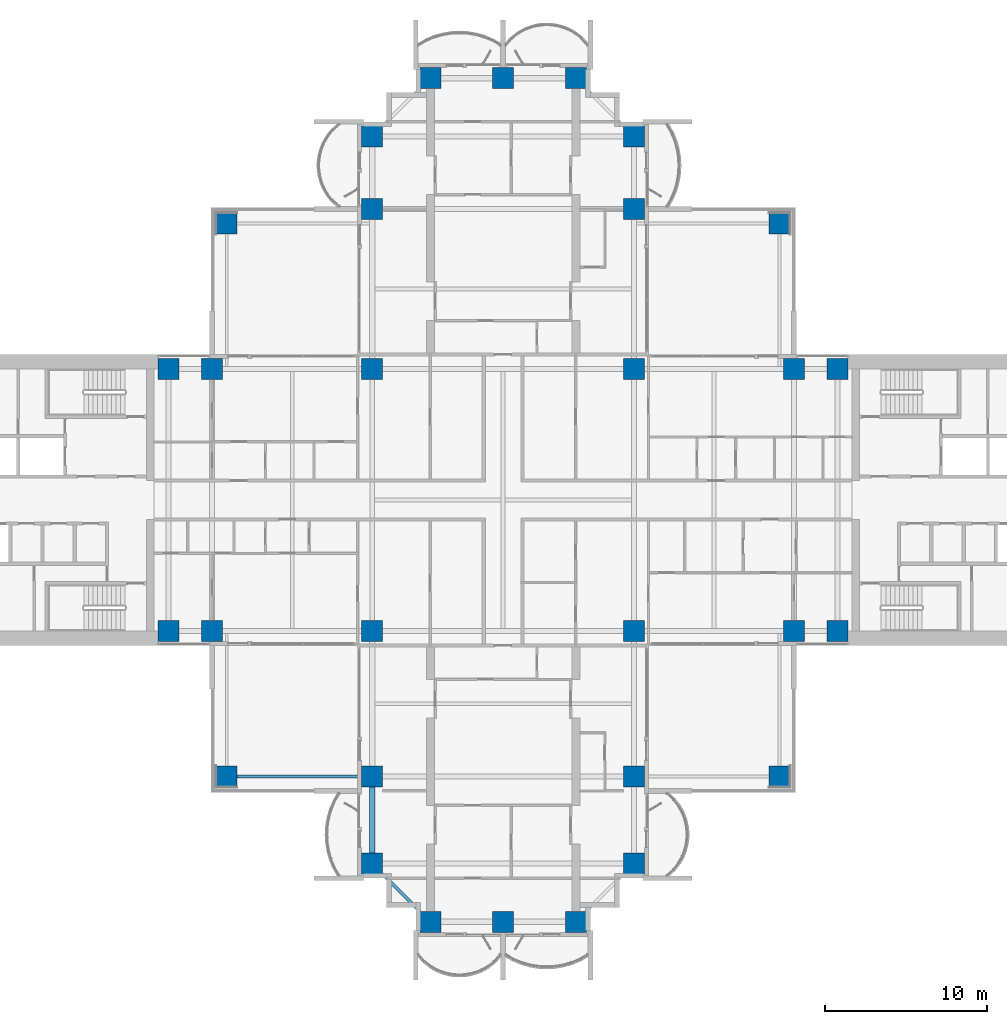
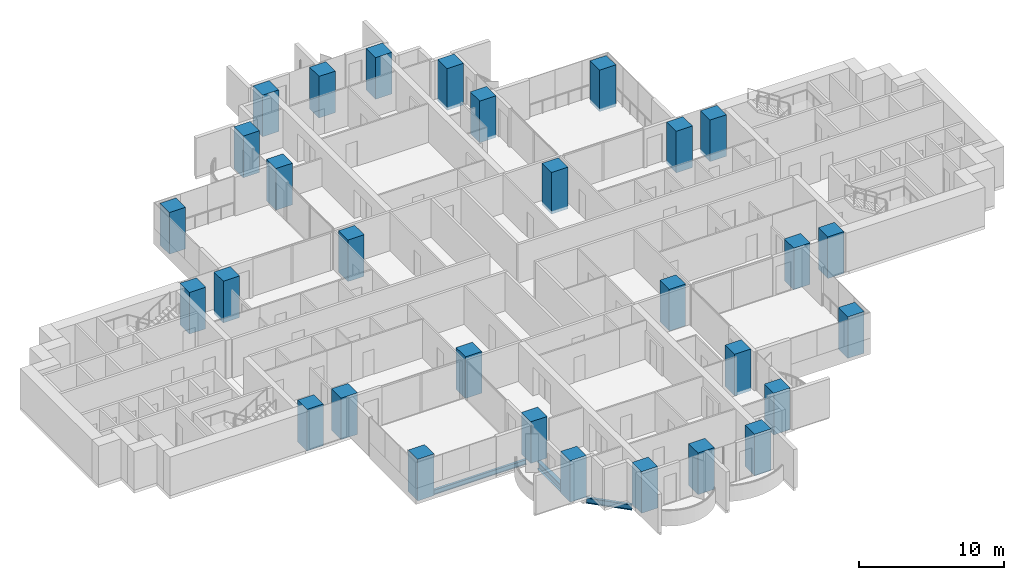
# One storey, part 1 of 20: 30 columns, 3 beams.
"""IFC4 building model written with IfcOpenShell, lengths in metres."""

from ifc_helpers import new_model, si_unit, direction, frame, origin, origin_2d, place, context, subcontext, project, spatial, rectangle, i_section, extrude, material, material_profile, profile_set, type_object, element, save


model = new_model("IFC4")

# Units and contexts
model_context = context("Model", 3, precision=1e-05, world=origin(), true_north=direction((0.0, 1.0)))
body_context = subcontext(model_context, "Body", "Model", "MODEL_VIEW")
ifc_project = project(units=[si_unit("LENGTHUNIT", "METRE"), si_unit("AREAUNIT", "SQUARE_METRE"), si_unit("VOLUMEUNIT", "CUBIC_METRE"), si_unit("PLANEANGLEUNIT", "RADIAN"), si_unit("MASSUNIT", "GRAM", prefix="KILO")], contexts=[model_context])

# Site, building, storey
site_placement = place(None, origin())
site = spatial("IfcSite", under=ifc_project, at=site_placement, CompositionType="ELEMENT")
building_placement = place(site_placement, origin())
building = spatial("IfcBuilding", under=site, at=building_placement, Name="Perihelion Cross Residences", CompositionType="ELEMENT")
storey_placement = place(building_placement, frame((0.0, 0.0, 82.0)))
storey = spatial("IfcBuildingStorey", under=building, at=storey_placement, Name="L18", CompositionType="ELEMENT", Elevation=82.0)

# Columns
ifc_material_1 = material(Name="Concrete C70/85", Category="concrete")
ifc_material_profile_1 = material_profile(ifc_material_1, rectangle(XDim=1.300048828125, YDim=1.300048828125, at=origin_2d()), Name="RC 1300x1300")
ifc_profile_set_1 = profile_set([ifc_material_profile_1], Name="Concrete C70/85")
column_type = type_object("IfcColumnType", Name="Reinforced concrete column 1300x1300 C70/85", PredefinedType="COLUMN", material=ifc_profile_set_1)
for number, where, z_axis, x_axis, name in (
    (1, (-20.699951171875, -8.10009765625, -0.25), (0.0, 0.0, 1.0), (1.0, 0.0, 0.0), "Column C017 L18 no. 1"),
    (2, (-20.699951171875, 8.10009765625, -0.25), (0.0, 0.0, 1.0), (1.0, 0.0, 0.0), "Column C010 L18 no. 1"),
    (3, (-18.0, -8.10009765625, -0.25), (0.0, 0.0, 1.0), (1.0, 0.0, 0.0), "Column C018 L18 no. 1"),
    (4, (-18.0, 8.10009765625, -0.25), (0.0, 0.0, 1.0), (1.0, 0.0, 0.0), "Column C011 L18 no. 1"),
    (5, (-8.10009765625, -22.5, -0.25), (0.0, 0.0, 1.0), (1.0, 0.0, 0.0), "Column C040 L18 no. 1"),
    (6, (-8.10009765625, -17.10009765625, -0.25), (0.0, 0.0, 1.0), (1.0, 0.0, 0.0), "Column C031 L18 no. 1"),
    (7, (-8.10009765625, -8.10009765625, -0.25), (0.0, 0.0, 1.0), (1.0, 0.0, 0.0), "Column C019 L18 no. 1"),
    (8, (-8.10009765625, 8.10009765625, -0.25), (0.0, 0.0, 1.0), (1.0, 0.0, 0.0), "Column C012 L18 no. 1"),
    (9, (-8.10009765625, 18.0, -0.25), (0.0, 0.0, 1.0), (1.0, 0.0, 0.0), "Column C006 L18 no. 1"),
    (10, (-8.10009765625, 22.5, -0.25), (0.0, 0.0, 1.0), (1.0, 0.0, 0.0), "Column C004 L18 no. 1"),
    (11, (-4.5, -26.10009765625, -0.25), (0.0, 0.0, 1.0), (1.0, 0.0, 0.0), "Column C042 L18 no. 1"),
    (12, (-4.5, 26.10009765625, -0.25), (0.0, 0.0, 1.0), (1.0, 0.0, 0.0), "Column C001 L18 no. 1"),
    (13, (0.0, -26.10009765625, -0.25), (0.0, 0.0, 1.0), (1.0, 0.0, 0.0), "Column C043 L18 no. 1"),
    (14, (0.0, 26.10009765625, -0.25), (0.0, 0.0, 1.0), (1.0, 0.0, 0.0), "Column C002 L18 no. 1"),
    (15, (4.5, -26.10009765625, -0.25), (0.0, 0.0, 1.0), (1.0, 0.0, 0.0), "Column C044 L18 no. 1"),
    (16, (4.5, 26.10009765625, -0.25), (0.0, 0.0, 1.0), (1.0, 0.0, 0.0), "Column C003 L18 no. 1"),
    (17, (8.10009765625, -22.5, -0.25), (0.0, 0.0, 1.0), (1.0, 0.0, 0.0), "Column C041 L18 no. 1"),
    (18, (8.10009765625, -17.10009765625, -0.25), (0.0, 0.0, 1.0), (1.0, 0.0, 0.0), "Column C035 L18 no. 1"),
    (19, (8.10009765625, -8.10009765625, -0.25), (0.0, 0.0, 1.0), (1.0, 0.0, 0.0), "Column C020 L18 no. 1"),
    (20, (8.10009765625, 8.10009765625, -0.25), (0.0, 0.0, 1.0), (1.0, 0.0, 0.0), "Column C014 L18 no. 1"),
    (21, (8.10009765625, 18.0, -0.25), (0.0, 0.0, 1.0), (1.0, 0.0, 0.0), "Column C007 L18 no. 1"),
    (22, (8.10009765625, 22.5, -0.25), (0.0, 0.0, 1.0), (1.0, 0.0, 0.0), "Column C005 L18 no. 1"),
    (23, (18.0, -8.10009765625, -0.25), (0.0, 0.0, 1.0), (1.0, 0.0, 0.0), "Column C021 L18 no. 1"),
    (24, (18.0, 8.10009765625, -0.25), (0.0, 0.0, 1.0), (1.0, 0.0, 0.0), "Column C015 L18 no. 1"),
    (25, (20.699951171875, -8.10009765625, -0.25), (0.0, 0.0, 1.0), (1.0, 0.0, 0.0), "Column C022 L18 no. 1"),
    (26, (20.699951171875, 8.10009765625, -0.25), (0.0, 0.0, 1.0), (1.0, 0.0, 0.0), "Column C016 L18 no. 1"),
    (27, (17.10009765625, 17.10009765625, -0.25), (0.0, 0.0, 1.0), (1.0, 0.0, 0.0), "Column C009 L18 no. 1"),
    (28, (-17.10009765625, 17.10009765625, -0.25), (0.0, 0.0, 1.0), (1.0, 0.0, 0.0), "Column C008 L18 no. 1"),
    (29, (-17.10009765625, -17.10009765625, -0.25), (0.0, 0.0, 1.0), (1.0, 0.0, 0.0), "Column C030 L18 no. 1"),
    (30, (17.10009765625, -17.10009765625, -0.25), (0.0, 0.0, 1.0), (1.0, 0.0, 0.0), "Column C036 L18 no. 1"),
):
    element("IfcColumn", number, at=place(storey_placement, frame(where, z_axis=z_axis, x_axis=x_axis)), inside=storey, type_object=column_type, Name=name, PredefinedType="COLUMN", context=body_context, shape_type="SweptSolid", body=[
        extrude(rectangle(XDim=1.300048828125, YDim=1.300048828125, at=origin_2d()), origin(), (0.0, 0.0, 1.0), 3.5),
    ])

# Beams
ifc_material_2 = material(Name="Steel S355", Category="steel")
ifc_material_profile_2 = material_profile(ifc_material_2, i_section(OverallWidth=0.177978515625, OverallDepth=0.406005859375, WebThickness=0.0078125, FlangeThickness=0.0126953125, at=origin_2d()), Name="W410x60")
ifc_profile_set_2 = profile_set([ifc_material_profile_2], Name="Steel S355")
beam_type_1 = type_object("IfcBeamType", Name="Core edge beam W410x60", PredefinedType="BEAM", material=ifc_profile_set_2)
beam_1_placement = place(storey_placement, frame((-8.75, -17.10009765625, -0.452880859375), z_axis=(-1.0, 0.0, 0.0), x_axis=(0.0, -1.0, 0.0)))
element("IfcBeam", 31, at=beam_1_placement, inside=storey, type_object=beam_type_1, Name="Core edge beam TB2 L18 corner no. 2", PredefinedType="BEAM", context=body_context, shape_type="SweptSolid", body=[
    extrude(i_section(OverallWidth=0.177978515625, OverallDepth=0.406005859375, WebThickness=0.0078125, FlangeThickness=0.0126953125, at=origin_2d()), origin(), (0.0, 0.0, 1.0), 7.699951171875),
])
ifc_material_3 = material(Name="Steel S355", Category="steel")
ifc_material_profile_3 = material_profile(ifc_material_3, i_section(OverallWidth=0.324951171875, OverallDepth=0.616943359375, WebThickness=0.013916015625, FlangeThickness=0.021484375, at=origin_2d()), Name="W610x174")
ifc_profile_set_3 = profile_set([ifc_material_profile_3], Name="Steel S355")
beam_type_2 = type_object("IfcBeamType", Name="Edge beam W610x174", PredefinedType="SPANDREL", material=ifc_profile_set_3)
beam_2_placement = place(storey_placement, frame((-8.10009765625, -17.75, -0.55859375), z_axis=(0.0, -1.0, 0.0), x_axis=(1.0, 0.0, 0.0)))
element("IfcBeam", 32, at=beam_2_placement, inside=storey, type_object=beam_type_2, Name="Edge beam SB2 L18 no. 5", PredefinedType="SPANDREL", context=body_context, shape_type="SweptSolid", body=[
    extrude(i_section(OverallWidth=0.324951171875, OverallDepth=0.616943359375, WebThickness=0.013916015625, FlangeThickness=0.021484375, at=origin_2d()), origin(), (0.0, 0.0, 1.0), 4.10009765625),
])
ifc_material_4 = material(Name="Steel S355", Category="steel")
ifc_material_profile_4 = material_profile(ifc_material_4, i_section(OverallWidth=0.194091796875, OverallDepth=0.469970703125, WebThickness=0.0126953125, FlangeThickness=0.0205078125, at=origin_2d()), Name="W460x106")
ifc_profile_set_4 = profile_set([ifc_material_profile_4], Name="Steel S355")
beam_type_3 = type_object("IfcBeamType", Name="Serration edge beam W460x106", PredefinedType="BEAM", material=ifc_profile_set_4)
beam_3_placement = place(storey_placement, frame((-7.449951171875, -23.14990234375, -0.485107421875), z_axis=(0.707106781187, -0.707106781187, 0.0), x_axis=(0.707106781187, 0.707106781187, 0.0)))
element("IfcBeam", 33, at=beam_3_placement, inside=storey, type_object=beam_type_3, Name="Serration edge beam EB2 L18 no. 2", PredefinedType="BEAM", context=body_context, shape_type="SweptSolid", body=[
    extrude(i_section(OverallWidth=0.194091796875, OverallDepth=0.469970703125, WebThickness=0.0126953125, FlangeThickness=0.0205078125, at=origin_2d()), origin(), (0.0, 0.0, 1.0), 3.252685546875),
])

save(model, "model.ifc")
